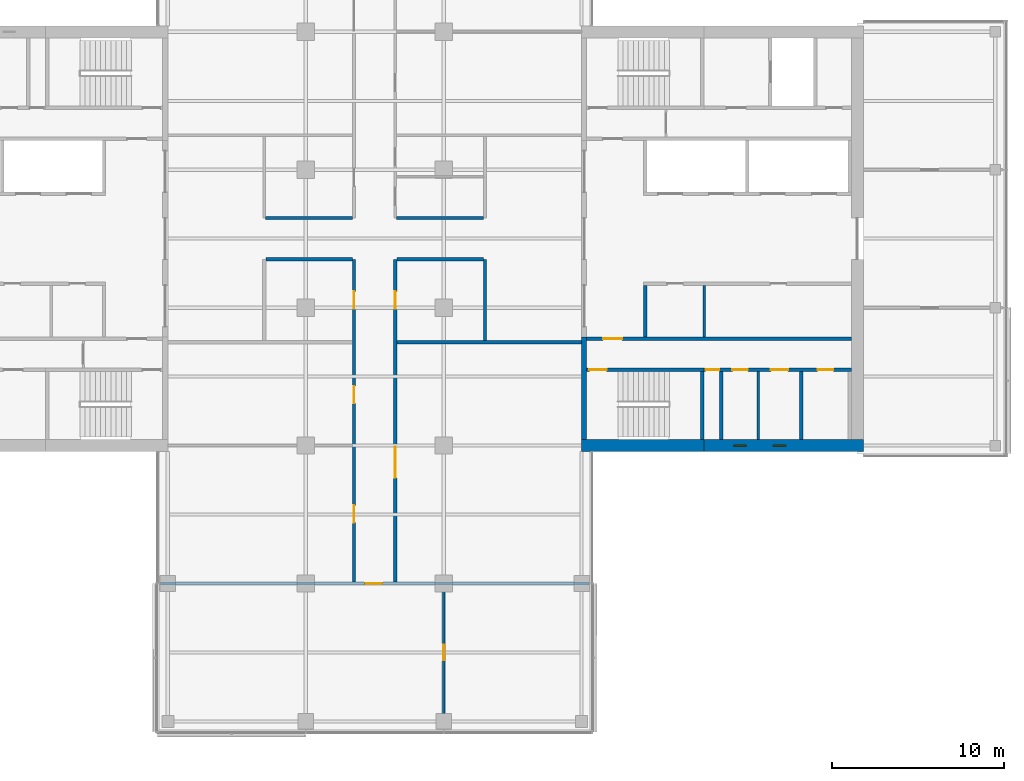
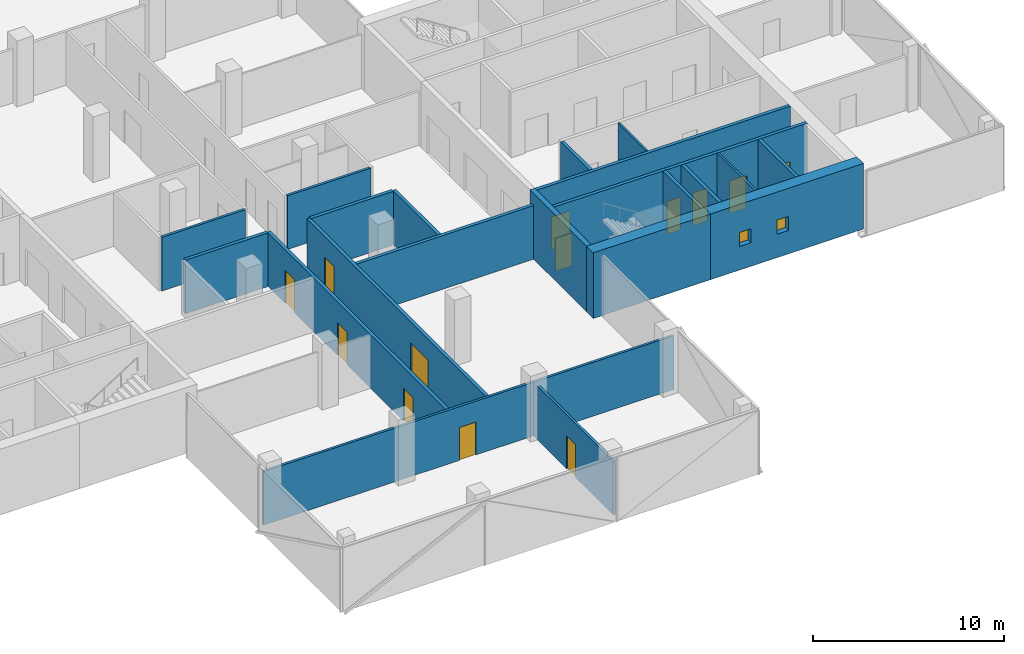
# One storey, part 14 of 22: 22 walls, 13 doors, 2 windows, 15 openings.
"""IFC4 building model written with IfcOpenShell, lengths in metres."""

from ifc_helpers import new_model, si_unit, direction, frame, frame_2d, origin, place, context, subcontext, project, spatial, rectangle, extrude, material, layer, layer_set, constituent, constituent_set, type_object, element, fill, save


model = new_model("IFC4")

# Units and contexts
model_context = context("Model", 3, precision=1e-05, world=origin(), true_north=direction((0.0, 1.0)))
body_context = subcontext(model_context, "Body", "Model", "MODEL_VIEW")
ifc_project = project(units=[si_unit("LENGTHUNIT", "METRE"), si_unit("AREAUNIT", "SQUARE_METRE"), si_unit("VOLUMEUNIT", "CUBIC_METRE"), si_unit("PLANEANGLEUNIT", "RADIAN"), si_unit("MASSUNIT", "GRAM", prefix="KILO")], contexts=[model_context])

# Site, building, storey
site_placement = place(None, origin())
site = spatial("IfcSite", under=ifc_project, at=site_placement, CompositionType="ELEMENT")
building_placement = place(site_placement, origin())
building = spatial("IfcBuilding", under=site, at=building_placement, Name="Crosswind Convention Tower", CompositionType="ELEMENT")
storey_placement = place(building_placement, frame((0.0, 0.0, 146.300048828125)))
storey = spatial("IfcBuildingStorey", under=building, at=storey_placement, Name="L30", CompositionType="ELEMENT", Elevation=146.300048828125)

# Wall
ifc_material_1 = material(Name="Concrete blockwork", Category="masonry")
ifc_layer_1 = layer(ifc_material_1, 0.199951171875)
ifc_layer_set_1 = layer_set([ifc_layer_1], Name="Blockwork partition wall 200")
wall_type_1 = type_object("IfcWallType", Name="Blockwork partition wall 200", PredefinedType="PARTITIONING", material=ifc_layer_set_1)
wall_1_placement = place(storey_placement, frame((145.10009765625, 88.35009765625, 0.0), z_axis=(0.0, 0.0, 1.0), x_axis=(0.0, 1.0, 0.0)))
element("IfcWall", 1, at=wall_1_placement, inside=storey, type_object=wall_type_1, Name="Wall MRSE E L30", PredefinedType="PARTITIONING", context=body_context, shape_type="SweptSolid", body=[
    extrude(rectangle(XDim=3.949951171875, YDim=0.199951171875, at=frame_2d((1.97509765625, 0.0))), origin(), (0.0, 0.0, 1.0), 4.199951171875),
])

# Wall, openings, doors
ifc_layer_2 = layer(ifc_material_1, 0.199951171875)
ifc_layer_set_2 = layer_set([ifc_layer_2], Name="COMPARTMENT WALL 200 BLOCKWORK")
wall_type_2 = type_object("IfcWallType", Name="COMPARTMENT WALL 200 BLOCKWORK", PredefinedType="SOLIDWALL", material=ifc_layer_set_2)
wall_2_placement = place(storey_placement, frame((123.800048828125, 80.074951171875, 0.0), z_axis=(0.0, 0.0, 1.0), x_axis=(0.0, 1.0, 0.0)))
wall_2 = element("IfcWall", 2, at=wall_2_placement, inside=storey, type_object=wall_type_2, Name="Compartment wall WT42", PredefinedType="SOLIDWALL", context=body_context, shape_type="SweptSolid", body=[
    extrude(rectangle(XDim=18.72509765625, YDim=0.199951171875, at=frame_2d((9.362548828125, 0.0))), origin(), (0.0, 0.0, 1.0), 3.436279296875),
])
opening_1_placement = place(wall_2_placement, frame((15.875, 0.0, 0.0)))
opening_1 = element("IfcOpeningElement", 3, at=opening_1_placement, cuts=wall_2, Name="Opening L30-58", PredefinedType="OPENING", context=body_context, shape_type="SweptSolid", body=[
    extrude(rectangle(XDim=1.0, YDim=2.10009765625, at=frame_2d((0.5, 1.050048828125))), frame((0.0, 0.10986328125, 0.0), z_axis=(0.0, -1.0, 0.0), x_axis=(1.0, 0.0, 0.0)), (0.0, 0.0, 1.0), 0.219970703125),
])
opening_2_placement = place(wall_2_placement, frame((10.375, 0.0, 0.0)))
opening_2 = element("IfcOpeningElement", 4, at=opening_2_placement, cuts=wall_2, Name="Opening L30-59", PredefinedType="OPENING", context=body_context, shape_type="SweptSolid", body=[
    extrude(rectangle(XDim=1.0, YDim=2.10009765625, at=frame_2d((0.5, 1.050048828125))), frame((0.0, 0.10986328125, 0.0), z_axis=(0.0, -1.0, 0.0), x_axis=(1.0, 0.0, 0.0)), (0.0, 0.0, 1.0), 0.219970703125),
])
opening_3_placement = place(wall_2_placement, frame((3.449951171875, 0.0, 0.0)))
opening_3 = element("IfcOpeningElement", 5, at=opening_3_placement, cuts=wall_2, Name="Opening L30-60", PredefinedType="OPENING", context=body_context, shape_type="SweptSolid", body=[
    extrude(rectangle(XDim=1.0, YDim=2.10009765625, at=frame_2d((0.5, 1.050048828125))), frame((0.0, 0.10986328125, 0.0), z_axis=(0.0, -1.0, 0.0), x_axis=(1.0, 0.0, 0.0)), (0.0, 0.0, 1.0), 0.219970703125),
])
ifc_material_2 = material(Name="Steel fire door", Category="steel")
door_type_1 = type_object("IfcDoorType", Name="PLANT ROOM DOOR 1000X2100 FD60", OperationType="NOTDEFINED", PredefinedType="DOOR", material=ifc_material_2)
door_1_placement = place(opening_1_placement, origin())
door_1 = element("IfcDoor", 6, at=door_1_placement, inside=storey, type_object=door_type_1, Name="Door L30-58", ObjectType="D43", OperationType="SINGLE_SWING_RIGHT", OverallHeight=2.10009765625, OverallWidth=1.0, PredefinedType="DOOR", context=body_context, shape_type="SweptSolid", body=[
    extrude(rectangle(XDim=1.0, YDim=2.10009765625, at=frame_2d((0.5, 1.050048828125))), frame((0.0, 0.02490234375, 0.0), z_axis=(0.0, -1.0, 0.0), x_axis=(1.0, 0.0, 0.0)), (0.0, 0.0, 1.0), 0.050048828125),
])
fill(opening_1, door_1)
ifc_material_3 = material(Name="Timber fire door", Category="wood")
door_type_2 = type_object("IfcDoorType", Name="TENANCY ENTRANCE DOOR 1000X2100 FD30S", OperationType="NOTDEFINED", PredefinedType="DOOR", material=ifc_material_3)
door_2_placement = place(opening_2_placement, origin())
door_2 = element("IfcDoor", 7, at=door_2_placement, inside=storey, type_object=door_type_2, Name="Door L30-59", ObjectType="D41", OperationType="SINGLE_SWING_RIGHT", OverallHeight=2.10009765625, OverallWidth=1.0, PredefinedType="DOOR", context=body_context, shape_type="SweptSolid", body=[
    extrude(rectangle(XDim=1.0, YDim=2.10009765625, at=frame_2d((0.5, 1.050048828125))), frame((0.0, 0.02490234375, 0.0), z_axis=(0.0, -1.0, 0.0), x_axis=(1.0, 0.0, 0.0)), (0.0, 0.0, 1.0), 0.050048828125),
])
fill(opening_2, door_2)
door_3_placement = place(opening_3_placement, origin())
door_3 = element("IfcDoor", 8, at=door_3_placement, inside=storey, type_object=door_type_2, Name="Door L30-60", ObjectType="D41", OperationType="SINGLE_SWING_RIGHT", OverallHeight=2.10009765625, OverallWidth=1.0, PredefinedType="DOOR", context=body_context, shape_type="SweptSolid", body=[
    extrude(rectangle(XDim=1.0, YDim=2.10009765625, at=frame_2d((0.5, 1.050048828125))), frame((0.0, 0.02490234375, 0.0), z_axis=(0.0, -1.0, 0.0), x_axis=(1.0, 0.0, 0.0)), (0.0, 0.0, 1.0), 0.050048828125),
])
fill(opening_3, door_3)

wall_3_placement = place(storey_placement, frame((126.199951171875, 80.074951171875, 0.0), z_axis=(0.0, 0.0, 1.0), x_axis=(0.0, 1.0, 0.0)))
wall_3 = element("IfcWall", 9, at=wall_3_placement, inside=storey, type_object=wall_type_2, Name="Compartment wall WT42", PredefinedType="SOLIDWALL", context=body_context, shape_type="SweptSolid", body=[
    extrude(rectangle(XDim=18.72509765625, YDim=0.199951171875, at=frame_2d((9.362548828125, 0.0))), origin(), (0.0, 0.0, 1.0), 3.436279296875),
])
opening_4_placement = place(wall_3_placement, frame((15.875, 0.0, 0.0)))
opening_4 = element("IfcOpeningElement", 10, at=opening_4_placement, cuts=wall_3, Name="Opening L30-54", PredefinedType="OPENING", context=body_context, shape_type="SweptSolid", body=[
    extrude(rectangle(XDim=1.0, YDim=2.10009765625, at=frame_2d((0.5, 1.050048828125))), frame((0.0, 0.10986328125, 0.0), z_axis=(0.0, -1.0, 0.0), x_axis=(1.0, 0.0, 0.0)), (0.0, 0.0, 1.0), 0.219970703125),
])
opening_5_placement = place(wall_3_placement, frame((6.050048828125, 0.0, 0.0)))
opening_5 = element("IfcOpeningElement", 11, at=opening_5_placement, cuts=wall_3, Name="Opening L30-55", PredefinedType="OPENING", context=body_context, shape_type="SweptSolid", body=[
    extrude(rectangle(XDim=1.800048828125, YDim=2.10009765625, at=frame_2d((0.89990234375, 1.050048828125))), frame((0.0, 0.10986328125, 0.0), z_axis=(0.0, -1.0, 0.0), x_axis=(1.0, 0.0, 0.0)), (0.0, 0.0, 1.0), 0.219970703125),
])
door_4_placement = place(opening_4_placement, frame((1.0, 0.0, 0.0), z_axis=(0.0, 0.0, 1.0), x_axis=(-1.0, 0.0, 0.0)))
door_4 = element("IfcDoor", 12, at=door_4_placement, inside=storey, type_object=door_type_1, Name="Door L30-54", ObjectType="D43", OperationType="SINGLE_SWING_LEFT", OverallHeight=2.10009765625, OverallWidth=1.0, PredefinedType="DOOR", context=body_context, shape_type="SweptSolid", body=[
    extrude(rectangle(XDim=1.0, YDim=2.10009765625, at=frame_2d((0.5, 1.050048828125))), frame((0.0, 0.02490234375, 0.0), z_axis=(0.0, -1.0, 0.0), x_axis=(1.0, 0.0, 0.0)), (0.0, 0.0, 1.0), 0.050048828125),
])
fill(opening_4, door_4)
door_type_3 = type_object("IfcDoorType", Name="TENANCY ENTRANCE DOUBLE DOOR 1800X2100 FD30S", OperationType="DOUBLE_DOOR_SINGLE_SWING", PredefinedType="DOOR", material=ifc_material_3)
door_5_placement = place(opening_5_placement, frame((1.800048828125, 0.0, 0.0), z_axis=(0.0, 0.0, 1.0), x_axis=(-1.0, 0.0, 0.0)))
door_5 = element("IfcDoor", 13, at=door_5_placement, inside=storey, type_object=door_type_3, Name="Door L30-55", ObjectType="D42", OperationType="DOUBLE_DOOR_SINGLE_SWING", OverallHeight=2.10009765625, OverallWidth=1.800048828125, PredefinedType="DOOR", context=body_context, shape_type="SweptSolid", body=[
    extrude(rectangle(XDim=1.800048828125, YDim=2.10009765625, at=frame_2d((0.89990234375, 1.050048828125))), frame((0.0, 0.02490234375, 0.0), z_axis=(0.0, -1.0, 0.0), x_axis=(1.0, 0.0, 0.0)), (0.0, 0.0, 1.0), 0.050048828125),
])
fill(opening_5, door_5)

# Walls
wall_4_placement = place(storey_placement, frame((131.39990234375, 94.10009765625, 0.0), z_axis=(0.0, 0.0, 1.0), x_axis=(0.0, 1.0, 0.0)))
element("IfcWall", 14, at=wall_4_placement, inside=storey, type_object=wall_type_2, Name="Compartment wall WT42", PredefinedType="SOLIDWALL", context=body_context, shape_type="SweptSolid", body=[
    extrude(rectangle(XDim=4.699951171875, YDim=0.199951171875, at=frame_2d((2.35009765625, 0.0))), origin(), (0.0, 0.0, 1.0), 3.436279296875),
])
wall_5_placement = place(storey_placement, frame((126.300048828125, 94.0, 0.0), z_axis=(0.0, 0.0, 1.0), x_axis=(1.0, 0.0, 0.0)))
element("IfcWall", 15, at=wall_5_placement, inside=storey, type_object=wall_type_2, Name="Compartment wall WT42", PredefinedType="SOLIDWALL", context=body_context, shape_type="SweptSolid", body=[
    extrude(rectangle(XDim=10.699951171875, YDim=0.199951171875, at=frame_2d((5.35009765625, 0.0))), origin(), (0.0, 0.0, 1.0), 3.436279296875),
])
for number, where, z_axis, x_axis, name in (
    (16, (118.699951171875, 98.800048828125, 0.0), (0.0, 0.0, 1.0), (1.0, 0.0, 0.0), "Compartment wall WT42"),
    (17, (126.300048828125, 98.800048828125, 0.0), (0.0, 0.0, 1.0), (1.0, 0.0, 0.0), "Compartment wall WT42"),
):
    element("IfcWall", number, at=place(storey_placement, frame(where, z_axis=z_axis, x_axis=x_axis)), inside=storey, type_object=wall_type_2, Name=name, PredefinedType="SOLIDWALL", context=body_context, shape_type="SweptSolid", body=[
        extrude(rectangle(XDim=5.0, YDim=0.199951171875, at=frame_2d((2.5, 0.0))), origin(), (0.0, 0.0, 1.0), 3.436279296875),
    ])
ifc_material_4 = material(Name="Concrete C50/60", Category="concrete")
ifc_layer_3 = layer(ifc_material_4, 0.300048828125)
ifc_layer_set_3 = layer_set([ifc_layer_3], Name="Concrete C50/60")
wall_type_3 = type_object("IfcWallType", Name="Concrete inner core wall 300", PredefinedType="SHEAR", material=ifc_layer_set_3)
wall_6_placement = place(storey_placement, frame((137.14990234375, 88.35009765625, 0.0), z_axis=(0.0, 0.0, 1.0), x_axis=(0.0, 1.0, 0.0)))
element("IfcWall", 18, at=wall_6_placement, inside=storey, type_object=wall_type_3, Name="Wall EM E L30", PredefinedType="SHEAR", context=body_context, shape_type="SweptSolid", body=[
    extrude(rectangle(XDim=5.949951171875, YDim=0.300048828125, at=frame_2d((2.97509765625, 0.0))), origin(), (0.0, 0.0, 1.0), 4.199951171875),
])
ifc_layer_4 = layer(ifc_material_4, 0.199951171875)
ifc_layer_set_4 = layer_set([ifc_layer_4], Name="Concrete C50/60")
wall_type_4 = type_object("IfcWallType", Name="Concrete shaft and stair wall 200", PredefinedType="SHEAR", material=ifc_layer_set_4)
wall_7_placement = place(storey_placement, frame((140.699951171875, 94.300048828125, 0.0), z_axis=(0.0, 0.0, 1.0), x_axis=(0.0, 1.0, 0.0)))
element("IfcWall", 19, at=wall_7_placement, inside=storey, type_object=wall_type_4, Name="Wall RMEND E L30", PredefinedType="SHEAR", context=body_context, shape_type="SweptSolid", body=[
    extrude(rectangle(XDim=3.0, YDim=0.199951171875, at=frame_2d((1.5, 0.0))), origin(), (0.0, 0.0, 1.0), 4.199951171875),
])

# Wall, opening, door
wall_8_placement = place(storey_placement, frame((137.300048828125, 94.199951171875, 0.0), z_axis=(0.0, 0.0, 1.0), x_axis=(1.0, 0.0, 0.0)))
wall_8 = element("IfcWall", 20, at=wall_8_placement, inside=storey, type_object=wall_type_4, Name="Wall HM E L30", PredefinedType="SHEAR", context=body_context, shape_type="SweptSolid", body=[
    extrude(rectangle(XDim=15.349853515625, YDim=0.199951171875, at=frame_2d((7.6748046875, 0.0))), origin(), (0.0, 0.0, 1.0), 4.199951171875),
])
opening_6_placement = place(wall_8_placement, frame((0.949951171875, 0.0, 0.0)))
opening_6 = element("IfcOpeningElement", 21, at=opening_6_placement, cuts=wall_8, Name="Opening D104", PredefinedType="OPENING", context=body_context, shape_type="SweptSolid", body=[
    extrude(rectangle(XDim=1.10009765625, YDim=2.10009765625, at=frame_2d((0.550048828125, 1.050048828125))), frame((0.0, 0.10986328125, 0.0), z_axis=(0.0, -1.0, 0.0), x_axis=(1.0, 0.0, 0.0)), (0.0, 0.0, 1.0), 0.219970703125),
])
door_type_4 = type_object("IfcDoorType", Name="Fire-rated single door 1100x2100", OperationType="NOTDEFINED", PredefinedType="DOOR", material=ifc_material_2)
door_6_placement = place(opening_6_placement, origin())
door_6 = element("IfcDoor", 22, at=door_6_placement, inside=storey, type_object=door_type_4, Name="Corridor door L30", ObjectType="D104", OperationType="SINGLE_SWING_LEFT", OverallHeight=2.10009765625, OverallWidth=1.10009765625, PredefinedType="DOOR", context=body_context, shape_type="SweptSolid", body=[
    extrude(rectangle(XDim=1.10009765625, YDim=2.10009765625, at=frame_2d((0.550048828125, 1.050048828125))), frame((0.0, 0.02490234375, 0.0), z_axis=(0.0, -1.0, 0.0), x_axis=(1.0, 0.0, 0.0)), (0.0, 0.0, 1.0), 0.050048828125),
])
fill(opening_6, door_6)

# Walls
for number, where, z_axis, x_axis, name in (
    (23, (144.0, 88.35009765625, 0.0), (0.0, 0.0, 1.0), (0.0, 1.0, 0.0), "Wall MSE E L30"),
    (24, (149.75, 88.35009765625, 0.0), (0.0, 0.0, 1.0), (0.0, 1.0, 0.0), "Wall MFSW E L30"),
):
    element("IfcWall", number, at=place(storey_placement, frame(where, z_axis=z_axis, x_axis=x_axis)), inside=storey, type_object=wall_type_4, Name=name, PredefinedType="SHEAR", context=body_context, shape_type="SweptSolid", body=[
        extrude(rectangle(XDim=3.949951171875, YDim=0.199951171875, at=frame_2d((1.97509765625, 0.0))), origin(), (0.0, 0.0, 1.0), 4.199951171875),
    ])

# Wall, opening, door
wall_9_placement = place(storey_placement, frame((137.300048828125, 92.39990234375, 0.0), z_axis=(0.0, 0.0, 1.0), x_axis=(1.0, 0.0, 0.0)))
wall_9 = element("IfcWall", 25, at=wall_9_placement, inside=storey, type_object=wall_type_4, Name="Wall MCW E L30", PredefinedType="SHEAR", context=body_context, shape_type="SweptSolid", body=[
    extrude(rectangle(XDim=6.800048828125, YDim=0.199951171875, at=frame_2d((3.39990234375, 0.0))), origin(), (0.0, 0.0, 1.0), 4.199951171875),
])
opening_7_placement = place(wall_9_placement, frame((0.14990234375, 0.0, 0.0)))
opening_7 = element("IfcOpeningElement", 26, at=opening_7_placement, cuts=wall_9, Name="Opening D103", PredefinedType="OPENING", context=body_context, shape_type="SweptSolid", body=[
    extrude(rectangle(XDim=1.0, YDim=2.10009765625, at=frame_2d((0.5, 1.050048828125))), frame((0.0, 0.10986328125, 0.0), z_axis=(0.0, -1.0, 0.0), x_axis=(1.0, 0.0, 0.0)), (0.0, 0.0, 1.0), 0.219970703125),
])
door_type_5 = type_object("IfcDoorType", Name="Fire-rated single door 1000x2100", OperationType="NOTDEFINED", PredefinedType="DOOR", material=ifc_material_2)
door_7_placement = place(opening_7_placement, frame((1.0, 0.0, 0.0), z_axis=(0.0, 0.0, 1.0), x_axis=(-1.0, 0.0, 0.0)))
door_7 = element("IfcDoor", 27, at=door_7_placement, inside=storey, type_object=door_type_5, Name="Stair ST2 door L30", ObjectType="D103", OperationType="SINGLE_SWING_RIGHT", OverallHeight=2.10009765625, OverallWidth=1.0, PredefinedType="DOOR", context=body_context, shape_type="SweptSolid", body=[
    extrude(rectangle(XDim=1.0, YDim=2.10009765625, at=frame_2d((0.5, 1.050048828125))), frame((0.0, 0.02490234375, 0.0), z_axis=(0.0, -1.0, 0.0), x_axis=(1.0, 0.0, 0.0)), (0.0, 0.0, 1.0), 0.050048828125),
])
fill(opening_7, door_7)

# Wall, openings, doors
wall_10_placement = place(storey_placement, frame((144.10009765625, 92.39990234375, 0.0), z_axis=(0.0, 0.0, 1.0), x_axis=(1.0, 0.0, 0.0)))
wall_10 = element("IfcWall", 28, at=wall_10_placement, inside=storey, type_object=wall_type_4, Name="Wall MCX E L30", PredefinedType="SHEAR", context=body_context, shape_type="SweptSolid", body=[
    extrude(rectangle(XDim=8.5498046875, YDim=0.199951171875, at=frame_2d((4.27490234375, 0.0))), origin(), (0.0, 0.0, 1.0), 4.199951171875),
])
opening_8_placement = place(wall_10_placement, frame((0.10009765625, 0.0, 0.0)))
opening_8 = element("IfcOpeningElement", 29, at=opening_8_placement, cuts=wall_10, Name="Opening D105", PredefinedType="OPENING", context=body_context, shape_type="SweptSolid", body=[
    extrude(rectangle(XDim=0.800048828125, YDim=2.10009765625, at=frame_2d((0.39990234375, 1.050048828125))), frame((0.0, 0.10986328125, 0.0), z_axis=(0.0, -1.0, 0.0), x_axis=(1.0, 0.0, 0.0)), (0.0, 0.0, 1.0), 0.219970703125),
])
opening_9_placement = place(wall_10_placement, frame((1.642333984375, 0.0, 0.0)))
opening_9 = element("IfcOpeningElement", 30, at=opening_9_placement, cuts=wall_10, Name="Opening D106", PredefinedType="OPENING", context=body_context, shape_type="SweptSolid", body=[
    extrude(rectangle(XDim=0.89990234375, YDim=2.10009765625, at=frame_2d((0.449951171875, 1.050048828125))), frame((0.0, 0.10986328125, 0.0), z_axis=(0.0, -1.0, 0.0), x_axis=(1.0, 0.0, 0.0)), (0.0, 0.0, 1.0), 0.219970703125),
])
opening_10_placement = place(wall_10_placement, frame((3.879638671875, 0.0, 0.0)))
opening_10 = element("IfcOpeningElement", 31, at=opening_10_placement, cuts=wall_10, Name="Opening D103", PredefinedType="OPENING", context=body_context, shape_type="SweptSolid", body=[
    extrude(rectangle(XDim=1.0, YDim=2.10009765625, at=frame_2d((0.5, 1.050048828125))), frame((0.0, 0.10986328125, 0.0), z_axis=(0.0, -1.0, 0.0), x_axis=(1.0, 0.0, 0.0)), (0.0, 0.0, 1.0), 0.219970703125),
])
opening_11_placement = place(wall_10_placement, frame((6.60009765625, 0.0, 0.0)))
opening_11 = element("IfcOpeningElement", 32, at=opening_11_placement, cuts=wall_10, Name="Opening D106", PredefinedType="OPENING", context=body_context, shape_type="SweptSolid", body=[
    extrude(rectangle(XDim=0.89990234375, YDim=2.10009765625, at=frame_2d((0.449951171875, 1.050048828125))), frame((0.0, 0.10986328125, 0.0), z_axis=(0.0, -1.0, 0.0), x_axis=(1.0, 0.0, 0.0)), (0.0, 0.0, 1.0), 0.219970703125),
])
door_8_placement = place(opening_10_placement, frame((1.0, 0.0, 0.0), z_axis=(0.0, 0.0, 1.0), x_axis=(-1.0, 0.0, 0.0)))
door_8 = element("IfcDoor", 33, at=door_8_placement, inside=storey, type_object=door_type_5, Name="Door to accessible wc L30", ObjectType="D103", OperationType="SINGLE_SWING_LEFT", OverallHeight=2.10009765625, OverallWidth=1.0, PredefinedType="DOOR", context=body_context, shape_type="SweptSolid", body=[
    extrude(rectangle(XDim=1.0, YDim=2.10009765625, at=frame_2d((0.5, 1.050048828125))), frame((0.0, 0.02490234375, 0.0), z_axis=(0.0, -1.0, 0.0), x_axis=(1.0, 0.0, 0.0)), (0.0, 0.0, 1.0), 0.050048828125),
])
fill(opening_10, door_8)
door_type_6 = type_object("IfcDoorType", Name="Riser access door 800x2100", OperationType="NOTDEFINED", PredefinedType="DOOR", material=ifc_material_2)
door_9_placement = place(opening_8_placement, frame((0.800048828125, 0.0, 0.0), z_axis=(0.0, 0.0, 1.0), x_axis=(-1.0, 0.0, 0.0)))
door_9 = element("IfcDoor", 34, at=door_9_placement, inside=storey, type_object=door_type_6, Name="Riser door L30", ObjectType="D105", OperationType="SINGLE_SWING_LEFT", OverallHeight=2.10009765625, OverallWidth=0.800048828125, PredefinedType="DOOR", context=body_context, shape_type="SweptSolid", body=[
    extrude(rectangle(XDim=0.800048828125, YDim=2.10009765625, at=frame_2d((0.39990234375, 1.050048828125))), frame((0.0, 0.02490234375, 0.0), z_axis=(0.0, -1.0, 0.0), x_axis=(1.0, 0.0, 0.0)), (0.0, 0.0, 1.0), 0.050048828125),
])
fill(opening_8, door_9)
ifc_material_5 = material(Name="Timber door", Category="wood")
door_type_7 = type_object("IfcDoorType", Name="Single leaf door 900x2100", OperationType="NOTDEFINED", PredefinedType="DOOR", material=ifc_material_5)
door_10_placement = place(opening_9_placement, frame((0.89990234375, 0.0, 0.0), z_axis=(0.0, 0.0, 1.0), x_axis=(-1.0, 0.0, 0.0)))
door_10 = element("IfcDoor", 35, at=door_10_placement, inside=storey, type_object=door_type_7, Name="Door to wc L30", ObjectType="D106", OperationType="SINGLE_SWING_LEFT", OverallHeight=2.10009765625, OverallWidth=0.89990234375, PredefinedType="DOOR", context=body_context, shape_type="SweptSolid", body=[
    extrude(rectangle(XDim=0.89990234375, YDim=2.10009765625, at=frame_2d((0.449951171875, 1.050048828125))), frame((0.0, 0.02490234375, 0.0), z_axis=(0.0, -1.0, 0.0), x_axis=(1.0, 0.0, 0.0)), (0.0, 0.0, 1.0), 0.050048828125),
])
fill(opening_9, door_10)
door_11_placement = place(opening_11_placement, frame((0.89990234375, 0.0, 0.0), z_axis=(0.0, 0.0, 1.0), x_axis=(-1.0, 0.0, 0.0)))
door_11 = element("IfcDoor", 36, at=door_11_placement, inside=storey, type_object=door_type_7, Name="Door to accessible wc L30", ObjectType="D106", OperationType="SINGLE_SWING_LEFT", OverallHeight=2.10009765625, OverallWidth=0.89990234375, PredefinedType="DOOR", context=body_context, shape_type="SweptSolid", body=[
    extrude(rectangle(XDim=0.89990234375, YDim=2.10009765625, at=frame_2d((0.449951171875, 1.050048828125))), frame((0.0, 0.02490234375, 0.0), z_axis=(0.0, -1.0, 0.0), x_axis=(1.0, 0.0, 0.0)), (0.0, 0.0, 1.0), 0.050048828125),
])
fill(opening_11, door_11)

# Walls
ifc_material_6 = material(Name="Gypsum plasterboard partition", Category="gypsum")
ifc_layer_5 = layer(ifc_material_6, 0.125)
ifc_layer_set_5 = layer_set([ifc_layer_5], Name="Drywall partition wall 125")
wall_type_5 = type_object("IfcWallType", Name="Drywall partition wall 125", PredefinedType="PARTITIONING", material=ifc_layer_set_5)
wall_11_placement = place(storey_placement, frame((144.117919921875, 94.300048828125, 0.0), z_axis=(0.0, 0.0, 1.0), x_axis=(0.0, 1.0, 0.0)))
element("IfcWall", 37, at=wall_11_placement, inside=storey, type_object=wall_type_5, Name="Wall RMP1 E L30", PredefinedType="PARTITIONING", context=body_context, shape_type="SweptSolid", body=[
    extrude(rectangle(XDim=3.0, YDim=0.125, at=frame_2d((1.5, 0.0))), origin(), (0.0, 0.0, 1.0), 4.199951171875),
])
wall_12_placement = place(storey_placement, frame((147.2470703125, 88.35009765625, 0.0), z_axis=(0.0, 0.0, 1.0), x_axis=(0.0, 1.0, 0.0)))
element("IfcWall", 38, at=wall_12_placement, inside=storey, type_object=wall_type_5, Name="Wall MWP1 E L30", PredefinedType="PARTITIONING", context=body_context, shape_type="SweptSolid", body=[
    extrude(rectangle(XDim=3.949951171875, YDim=0.125, at=frame_2d((1.97509765625, 0.0))), origin(), (0.0, 0.0, 1.0), 4.199951171875),
])

# Wall, opening, door
ifc_material_7 = material(Name="Fire-board partition with mineral wool", Category="gypsum")
ifc_layer_6 = layer(ifc_material_7, 0.14990234375)
ifc_layer_set_6 = layer_set([ifc_layer_6], Name="TENANCY WALL 150 TWO-HOUR BOARD")
wall_type_6 = type_object("IfcWallType", Name="TENANCY WALL 150 TWO-HOUR BOARD", PredefinedType="PARTITIONING", material=ifc_layer_set_6)
wall_13_placement = place(storey_placement, frame((129.0, 71.580078125, 0.0), z_axis=(0.0, 0.0, 1.0), x_axis=(0.0, 1.0, 0.0)))
wall_13 = element("IfcWall", 39, at=wall_13_placement, inside=storey, type_object=wall_type_6, Name="Tenancy wall WT41", PredefinedType="PARTITIONING", context=body_context, shape_type="SweptSolid", body=[
    extrude(rectangle(XDim=8.344970703125, YDim=0.14990234375, at=frame_2d((4.17236328125, 0.0))), origin(), (0.0, 0.0, 1.0), 3.436279296875),
])
opening_12_placement = place(wall_13_placement, frame((3.969970703125, 0.0, 0.0)))
opening_12 = element("IfcOpeningElement", 40, at=opening_12_placement, cuts=wall_13, Name="Opening L30-63", PredefinedType="OPENING", context=body_context, shape_type="SweptSolid", body=[
    extrude(rectangle(XDim=0.89990234375, YDim=2.10009765625, at=frame_2d((0.449951171875, 1.050048828125))), frame((0.0, 0.0849609375, 0.0), z_axis=(0.0, -1.0, 0.0), x_axis=(1.0, 0.0, 0.0)), (0.0, 0.0, 1.0), 0.169921875),
])
door_type_8 = type_object("IfcDoorType", Name="INTERNAL DOOR 900X2100", OperationType="NOTDEFINED", PredefinedType="DOOR", material=ifc_material_5)
door_12_placement = place(opening_12_placement, frame((0.89990234375, 0.0, 0.0), z_axis=(0.0, 0.0, 1.0), x_axis=(-1.0, 0.0, 0.0)))
door_12 = element("IfcDoor", 41, at=door_12_placement, inside=storey, type_object=door_type_8, Name="Door L30-63", ObjectType="D40", OperationType="SINGLE_SWING_LEFT", OverallHeight=2.10009765625, OverallWidth=0.89990234375, PredefinedType="DOOR", context=body_context, shape_type="SweptSolid", body=[
    extrude(rectangle(XDim=0.89990234375, YDim=2.10009765625, at=frame_2d((0.449951171875, 1.050048828125))), frame((0.0, 0.02490234375, 0.0), z_axis=(0.0, -1.0, 0.0), x_axis=(1.0, 0.0, 0.0)), (0.0, 0.0, 1.0), 0.050048828125),
])
fill(opening_12, door_12)

wall_14_placement = place(storey_placement, frame((112.580078125, 80.0, 0.0), z_axis=(0.0, 0.0, 1.0), x_axis=(1.0, 0.0, 0.0)))
wall_14 = element("IfcWall", 42, at=wall_14_placement, inside=storey, type_object=wall_type_6, Name="Tenancy wall WT41", PredefinedType="PARTITIONING", context=body_context, shape_type="SweptSolid", body=[
    extrude(rectangle(XDim=24.83984375, YDim=0.14990234375, at=frame_2d((12.419921875, 0.0))), origin(), (0.0, 0.0, 1.0), 3.436279296875),
])
opening_13_placement = place(wall_14_placement, frame((11.8701171875, 0.0, 0.0)))
opening_13 = element("IfcOpeningElement", 43, at=opening_13_placement, cuts=wall_14, Name="Opening L30-62", PredefinedType="OPENING", context=body_context, shape_type="SweptSolid", body=[
    extrude(rectangle(XDim=1.0, YDim=2.10009765625, at=frame_2d((0.5, 1.050048828125))), frame((0.0, 0.0849609375, 0.0), z_axis=(0.0, -1.0, 0.0), x_axis=(1.0, 0.0, 0.0)), (0.0, 0.0, 1.0), 0.169921875),
])
door_13_placement = place(opening_13_placement, frame((1.0, 0.0, 0.0), z_axis=(0.0, 0.0, 1.0), x_axis=(-1.0, 0.0, 0.0)))
door_13 = element("IfcDoor", 44, at=door_13_placement, inside=storey, type_object=door_type_2, Name="Door L30-62", ObjectType="D41", OperationType="SINGLE_SWING_RIGHT", OverallHeight=2.10009765625, OverallWidth=1.0, PredefinedType="DOOR", context=body_context, shape_type="SweptSolid", body=[
    extrude(rectangle(XDim=1.0, YDim=2.10009765625, at=frame_2d((0.5, 1.050048828125))), frame((0.0, 0.02490234375, 0.0), z_axis=(0.0, -1.0, 0.0), x_axis=(1.0, 0.0, 0.0)), (0.0, 0.0, 1.0), 0.050048828125),
])
fill(opening_13, door_13)

# Walls
for number, where, z_axis, x_axis, name in (
    (45, (118.675048828125, 101.199951171875, 0.0), (0.0, 0.0, 1.0), (1.0, 0.0, 0.0), "Tenancy wall WT41"),
    (46, (126.27490234375, 101.199951171875, 0.0), (0.0, 0.0, 1.0), (1.0, 0.0, 0.0), "Tenancy wall WT41"),
):
    element("IfcWall", number, at=place(storey_placement, frame(where, z_axis=z_axis, x_axis=x_axis)), inside=storey, type_object=wall_type_6, Name=name, PredefinedType="PARTITIONING", context=body_context, shape_type="SweptSolid", body=[
        extrude(rectangle(XDim=5.050048828125, YDim=0.14990234375, at=frame_2d((2.52490234375, 0.0))), origin(), (0.0, 0.0, 1.0), 3.436279296875),
    ])
ifc_material_8 = material(Name="Concrete C60/75", Category="concrete")
ifc_constituent_1 = constituent(ifc_material_8, Name="Structure")
ifc_material_9 = material(Name="Terracotta rainscreen", Category="ceramic")
ifc_constituent_2 = constituent(ifc_material_9, Name="Facing")
ifc_constituent_set = constituent_set(constituents=[ifc_constituent_1, ifc_constituent_2], Name="Concrete C60/75, Terracotta rainscreen")
wall_type_7 = type_object("IfcWallType", Name="Terracotta rainscreen on concrete core wall 700", PredefinedType="SHEAR", material=ifc_constituent_set)
wall_15_placement = place(storey_placement, frame((137.0, 88.0, 0.0), z_axis=(0.0, 0.0, 1.0), x_axis=(1.0, 0.0, 0.0)))
element("IfcWall", 47, at=wall_15_placement, inside=storey, type_object=wall_type_7, Name="Wall S1 E L30", PredefinedType="SHEAR", context=body_context, shape_type="SweptSolid", body=[
    extrude(rectangle(XDim=7.10009765625, YDim=0.699951171875, at=frame_2d((3.550048828125, 0.0))), origin(), (0.0, 0.0, 1.0), 4.199951171875),
])

# Wall, openings, windows
wall_16_placement = place(storey_placement, frame((144.10009765625, 88.0, 0.0), z_axis=(0.0, 0.0, 1.0), x_axis=(1.0, 0.0, 0.0)))
wall_16 = element("IfcWall", 48, at=wall_16_placement, inside=storey, type_object=wall_type_7, Name="Wall S2 E L30", PredefinedType="SHEAR", context=body_context, shape_type="SweptSolid", body=[
    extrude(rectangle(XDim=9.25, YDim=0.699951171875, at=frame_2d((4.625, 0.0))), origin(), (0.0, 0.0, 1.0), 4.199951171875),
])
opening_14_placement = place(wall_16_placement, frame((1.7421875, 0.0, 1.5)))
opening_14 = element("IfcOpeningElement", 49, at=opening_14_placement, cuts=wall_16, Name="Opening W2", PredefinedType="OPENING", context=body_context, shape_type="SweptSolid", body=[
    extrude(rectangle(XDim=0.699951171875, YDim=0.89990234375, at=frame_2d((0.35009765625, 0.449951171875))), frame((0.0, 0.35986328125, 0.0), z_axis=(0.0, -1.0, 0.0), x_axis=(1.0, 0.0, 0.0)), (0.0, 0.0, 1.0), 0.719970703125),
])
opening_15_placement = place(wall_16_placement, frame((4.02978515625, 0.0, 1.5)))
opening_15 = element("IfcOpeningElement", 50, at=opening_15_placement, cuts=wall_16, Name="Opening W2", PredefinedType="OPENING", context=body_context, shape_type="SweptSolid", body=[
    extrude(rectangle(XDim=0.699951171875, YDim=0.89990234375, at=frame_2d((0.35009765625, 0.449951171875))), frame((0.0, 0.35986328125, 0.0), z_axis=(0.0, -1.0, 0.0), x_axis=(1.0, 0.0, 0.0)), (0.0, 0.0, 1.0), 0.719970703125),
])
ifc_material_10 = material(Name="Obscure glass in aluminium frame", Category="aluminium")
window_type = type_object("IfcWindowType", Name="WC window 700x900", PartitioningType="SINGLE_PANEL", PredefinedType="WINDOW", material=ifc_material_10)
window_1_placement = place(opening_14_placement, origin())
window_1 = element("IfcWindow", 51, at=window_1_placement, inside=storey, type_object=window_type, Name="WC window L30", ObjectType="W2", OverallHeight=0.89990234375, OverallWidth=0.699951171875, PartitioningType="SINGLE_PANEL", PredefinedType="WINDOW", context=body_context, shape_type="SweptSolid", body=[
    extrude(rectangle(XDim=0.699951171875, YDim=0.89990234375, at=frame_2d((0.35009765625, 0.449951171875))), frame((0.0, 0.030029296875, 0.0), z_axis=(0.0, -1.0, 0.0), x_axis=(1.0, 0.0, 0.0)), (0.0, 0.0, 1.0), 0.06005859375),
])
fill(opening_14, window_1)
window_2_placement = place(opening_15_placement, origin())
window_2 = element("IfcWindow", 52, at=window_2_placement, inside=storey, type_object=window_type, Name="WC window L30", ObjectType="W2", OverallHeight=0.89990234375, OverallWidth=0.699951171875, PartitioningType="SINGLE_PANEL", PredefinedType="WINDOW", context=body_context, shape_type="SweptSolid", body=[
    extrude(rectangle(XDim=0.699951171875, YDim=0.89990234375, at=frame_2d((0.35009765625, 0.449951171875))), frame((0.0, 0.030029296875, 0.0), z_axis=(0.0, -1.0, 0.0), x_axis=(1.0, 0.0, 0.0)), (0.0, 0.0, 1.0), 0.06005859375),
])
fill(opening_15, window_2)

save(model, "model.ifc")
